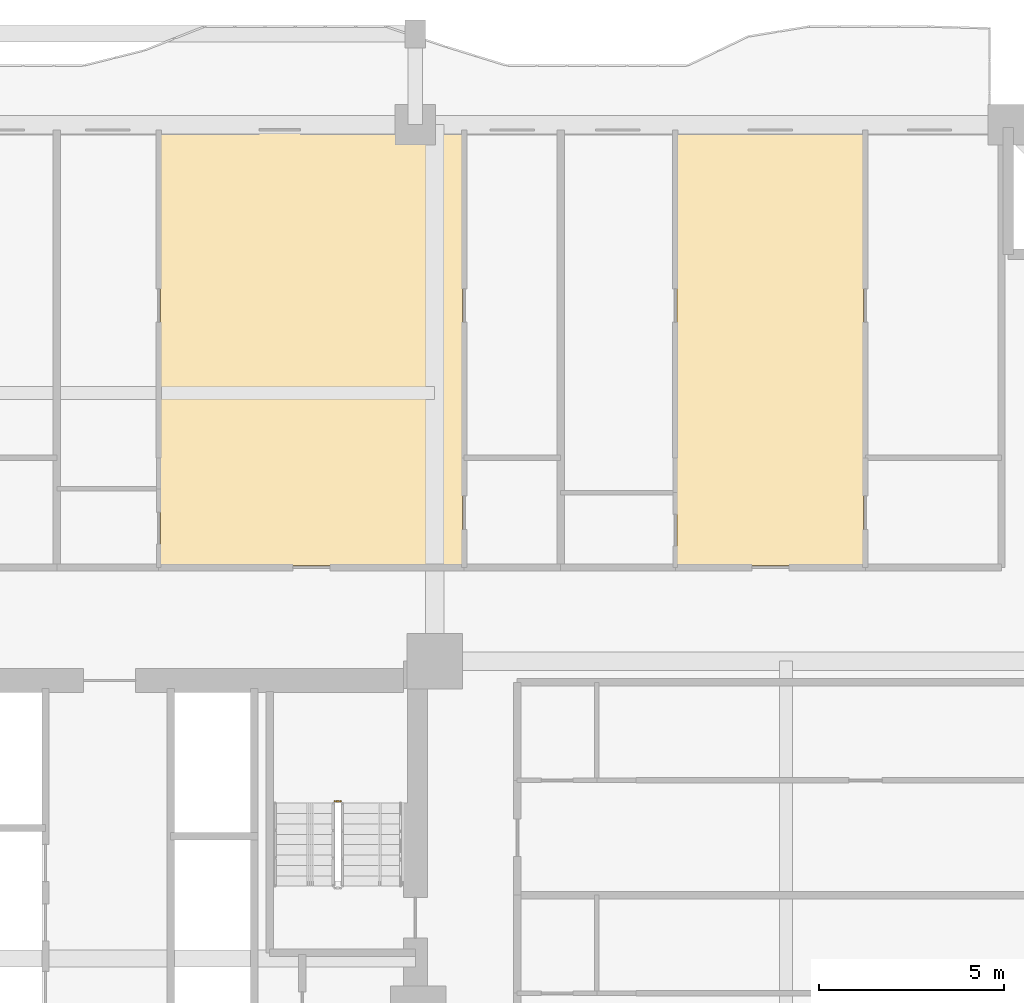
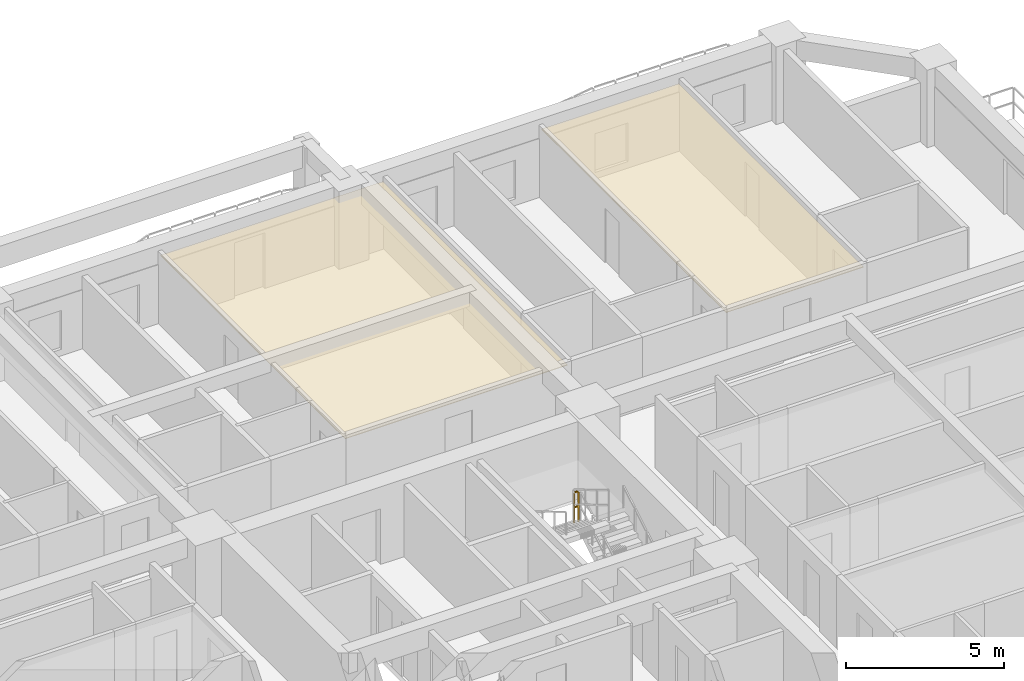
# One storey, part 16 of 16: 2 coverings, 1 railing.
"""IFC4 building model written with IfcOpenShell, lengths in metres."""

from ifc_helpers import new_model, si_unit, direction, frame, origin, origin_2d, place, context, subcontext, project, spatial, polyline, rectangle, outline, extrude, material, layer, layer_set, type_object, element, save


model = new_model("IFC4")

# Units and contexts
model_context = context("Model", 3, precision=1e-05, world=origin(), true_north=direction((0.0, 1.0)))
body_context = subcontext(model_context, "Body", "Model", "MODEL_VIEW")
ifc_project = project(units=[si_unit("LENGTHUNIT", "METRE"), si_unit("AREAUNIT", "SQUARE_METRE"), si_unit("VOLUMEUNIT", "CUBIC_METRE"), si_unit("PLANEANGLEUNIT", "RADIAN"), si_unit("MASSUNIT", "GRAM", prefix="KILO")], contexts=[model_context])

# Site, building, storey
site_placement = place(None, origin())
site = spatial("IfcSite", under=ifc_project, at=site_placement, CompositionType="ELEMENT")
building_placement = place(site_placement, origin())
building = spatial("IfcBuilding", under=site, at=building_placement, Name="Saelheon Loggia Tower", CompositionType="ELEMENT")
storey_placement = place(building_placement, frame((0.0, 0.0, 55.39990234375)))
storey = spatial("IfcBuildingStorey", under=building, at=storey_placement, Name="L17", CompositionType="ELEMENT", Elevation=55.39990234375)

# Coverings
ifc_material_1 = material(Name="Mineral-Fibre Acoustic Ceiling Board", Category="gypsum")
ifc_layer = layer(ifc_material_1, 0.02490234375)
ifc_layer_set = layer_set([ifc_layer], Name="Mineral-Fibre Acoustic Ceiling Board")
covering_type = type_object("IfcCoveringType", Name="Cov_Ceiling_Acoustic", PredefinedType="CEILING", material=ifc_layer_set)
covering_1_placement = place(storey_placement, frame((0.0, 0.0, 2.53515625)))
element("IfcCovering", 1, at=covering_1_placement, inside=storey, type_object=covering_type, Name="L17 Acoustic Suspended Ceiling", PredefinedType="CEILING", context=body_context, shape_type="SweptSolid", body=[
    extrude(outline(polyline([(37.6259765625, 39.10009765625), (45.77001953125, 39.10009765625), (45.77001953125, 50.800048828125), (37.6259765625, 50.800048828125), (37.6259765625, 39.10009765625)])), origin(), (0.0, 0.0, 1.0), 0.02490234375),
])
covering_2_placement = place(storey_placement, frame((0.0, 0.0, 2.53515625)))
element("IfcCovering", 2, at=covering_2_placement, inside=storey, type_object=covering_type, Name="L17 Acoustic Suspended Ceiling", PredefinedType="CEILING", context=body_context, shape_type="SweptSolid", body=[
    extrude(outline(polyline([(51.566162109375, 39.10009765625), (56.593505859375, 39.10009765625), (56.593505859375, 50.800048828125), (51.566162109375, 50.800048828125), (51.566162109375, 39.10009765625)])), origin(), (0.0, 0.0, 1.0), 0.02490234375),
])

# Railing
ifc_material_2 = material(Name="Galvanised Steel S275 Stairwell Guardrail", Category="steel")
railing_type = type_object("IfcRailingType", Name="Guard_StairWell_RL_STG", PredefinedType="GUARDRAIL", material=ifc_material_2)
railing_placement = place(storey_placement, frame((42.489990234375, 32.739990234375, 1.5)))
element("IfcRailing", 3, at=railing_placement, inside=storey, type_object=railing_type, Name="L17 ST2 stair guard 2", PredefinedType="GUARDRAIL", context=body_context, shape_type="SweptSolid", body=[
    extrude(rectangle(XDim=0.048095703125, YDim=0.048095703125, at=origin_2d()), frame((-0.033203125, 0.0, 1.17578125), z_axis=(-1.0, 0.0, 0.0), x_axis=(0.0, -1.0, 0.0)), (0.0, 0.0, 1.0), 0.093505859375),
    extrude(rectangle(XDim=0.048095703125, YDim=0.048095703125, at=origin_2d()), frame((-0.033203125, 0.0, 0.60009765625), z_axis=(-1.0, 0.0, 0.0), x_axis=(0.0, -1.0, 0.0)), (0.0, 0.0, 1.0), 0.093505859375),
    extrude(rectangle(XDim=0.0419921875, YDim=0.0419921875, at=origin_2d()), origin(), (0.0, 0.0, 1.0), 1.14794921875),
    extrude(rectangle(XDim=0.0419921875, YDim=0.0419921875, at=origin_2d()), frame((-0.159912109375, 0.0, 0.0)), (0.0, 0.0, 1.0), 1.14794921875),
])

save(model, "model.ifc")
